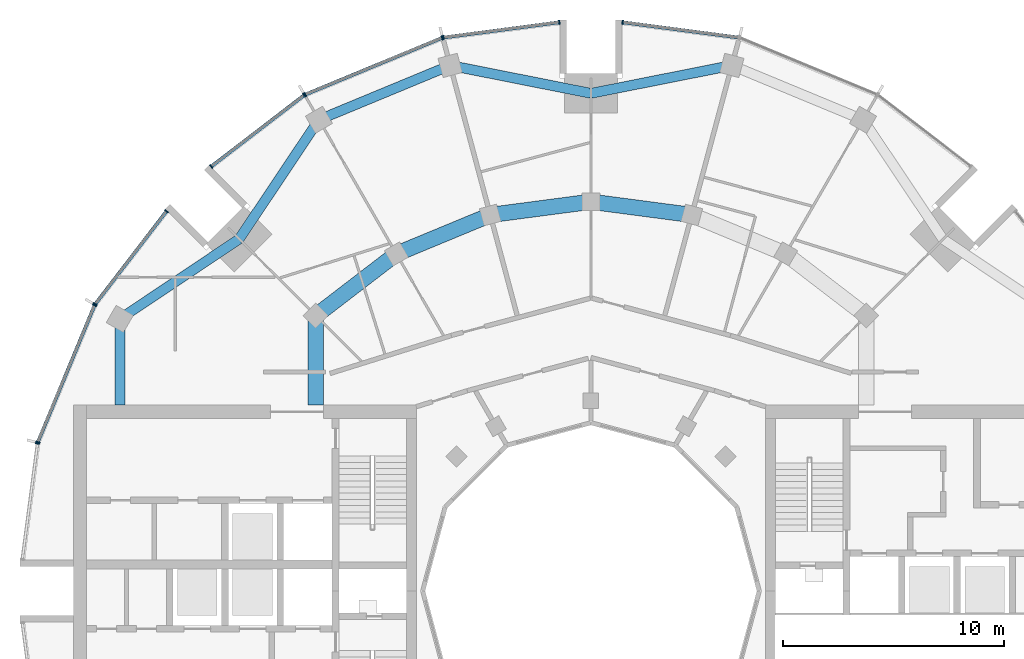
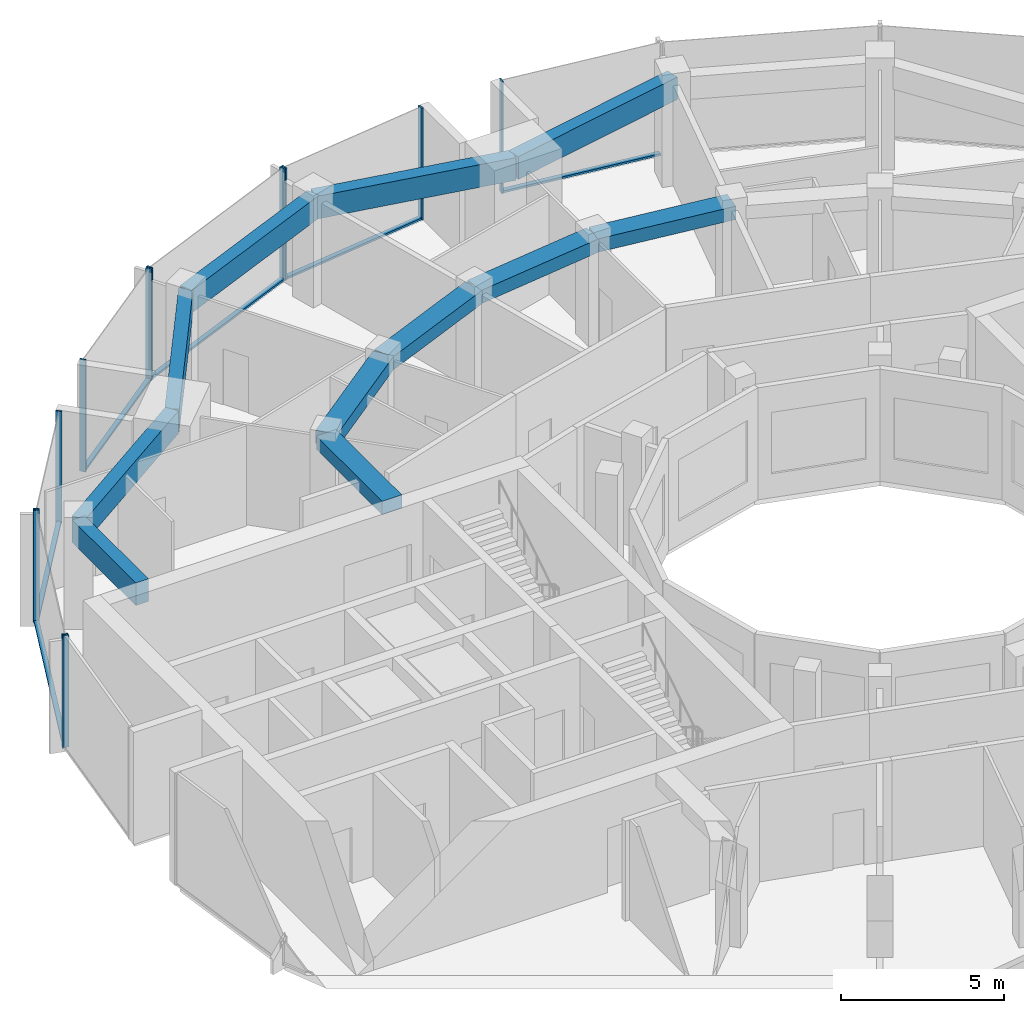
# One storey, part 5 of 15: 18 members, 11 beams, 7 elements without a shape of their own.
"""IFC4 building model written with IfcOpenShell, lengths in metres."""

from ifc_helpers import new_model, si_unit, direction, frame, origin, origin_2d, place, context, subcontext, project, spatial, rectangle, extrude, material, layer, layer_set, material_profile, profile_set, type_object, element, aggregate, save


model = new_model("IFC4")

# Units and contexts
model_context = context("Model", 3, precision=1e-05, world=origin(), true_north=direction((0.0, 1.0)))
body_context = subcontext(model_context, "Body", "Model", "MODEL_VIEW")
ifc_project = project(units=[si_unit("LENGTHUNIT", "METRE"), si_unit("AREAUNIT", "SQUARE_METRE"), si_unit("VOLUMEUNIT", "CUBIC_METRE"), si_unit("PLANEANGLEUNIT", "RADIAN"), si_unit("MASSUNIT", "GRAM", prefix="KILO")], contexts=[model_context])

# Site, building, storey
site_placement = place(None, origin())
site = spatial("IfcSite", under=ifc_project, at=site_placement, CompositionType="ELEMENT")
building_placement = place(site_placement, origin())
building = spatial("IfcBuilding", under=site, at=building_placement, Name="Torre Brocal", CompositionType="ELEMENT")
storey_placement = place(building_placement, frame((0.0, 0.0, 241.5)))
storey = spatial("IfcBuildingStorey", under=building, at=storey_placement, Name="L55", CompositionType="ELEMENT", Elevation=241.5)

# Curtain wall, member
ifc_material_1 = material(Name="Aluminium and glass", Category="aluminium")
ifc_layer_1 = layer(ifc_material_1, 0.199951171875)
ifc_layer_set_1 = layer_set([ifc_layer_1], Name="Aluminium and glass")
curtain_wall_type_1 = type_object("IfcCurtainWallType", Name="CW-1 CURTAIN WALL 4200 HIGH", PredefinedType="NOTDEFINED", material=ifc_layer_set_1)
curtain_wall_1_placement = place(storey_placement, origin())
curtain_wall_1 = element("IfcCurtainWall", 1, at=curtain_wall_1_placement, inside=storey, type_object=curtain_wall_type_1, Name="CW-1 RUN 6", PredefinedType="NOTDEFINED")
ifc_material_2 = material(Name="Aluminium, dark anodised", Category="aluminium")
ifc_material_profile_1 = material_profile(ifc_material_2, rectangle(XDim=0.199951171875, YDim=0.06005859375, at=origin_2d()), Name="CW-1 MULLION 60X200")
ifc_profile_set_1 = profile_set([ifc_material_profile_1], Name="Aluminium, dark anodised")
member_type_1 = type_object("IfcMemberType", Name="CW-1 MULLION 60X200", PredefinedType="MULLION", material=ifc_profile_set_1)
member_1_placement = place(storey_placement, frame((81.4296875, 100.7109375, 0.0), z_axis=(0.0, 0.0, 1.0), x_axis=(-0.13052619222, -0.991444861374, 0.0)))
member_1 = element("IfcMember", 2, at=member_1_placement, type_object=member_type_1, Name="CW1-5 mullion 2", PredefinedType="MULLION", context=body_context, shape_type="SweptSolid", body=[
    extrude(rectangle(XDim=0.199951171875, YDim=0.06005859375, at=origin_2d()), origin(), (0.0, 0.0, 1.0), 4.199951171875),
])

# Curtain wall, members
curtain_wall_2_placement = place(storey_placement, origin())
curtain_wall_2 = element("IfcCurtainWall", 3, at=curtain_wall_2_placement, inside=storey, type_object=curtain_wall_type_1, Name="CW-1 RUN 7", PredefinedType="NOTDEFINED")
member_2_placement = place(storey_placement, frame((78.5703125, 100.7109375, 0.0), z_axis=(0.0, 0.0, 1.0), x_axis=(0.13052619222, -0.991444861374, 0.0)))
member_2 = element("IfcMember", 4, at=member_2_placement, type_object=member_type_1, Name="CW1-5 mullion 1", PredefinedType="MULLION", context=body_context, shape_type="SweptSolid", body=[
    extrude(rectangle(XDim=0.199951171875, YDim=0.06005859375, at=origin_2d()), origin(), (0.0, 0.0, 1.0), 4.199951171875),
])
member_3_placement = place(storey_placement, frame((73.32666015625, 100.0205078125, 0.0), z_axis=(0.0, 0.0, 1.0), x_axis=(0.13052619222, -0.991444861374, 0.0)))
member_3 = element("IfcMember", 5, at=member_3_placement, type_object=member_type_1, Name="CW1-5 mullion 2", PredefinedType="MULLION", context=body_context, shape_type="SweptSolid", body=[
    extrude(rectangle(XDim=0.199951171875, YDim=0.06005859375, at=origin_2d()), origin(), (0.0, 0.0, 1.0), 4.199951171875),
])

curtain_wall_3_placement = place(storey_placement, origin())
curtain_wall_3 = element("IfcCurtainWall", 6, at=curtain_wall_3_placement, inside=storey, type_object=curtain_wall_type_1, Name="CW-1 RUN 8", PredefinedType="NOTDEFINED")
member_4_placement = place(storey_placement, frame((73.26904296875, 100.005126953125, 0.0), z_axis=(0.0, 0.0, 1.0), x_axis=(0.382683432333, -0.923879532525, 0.0)))
member_4 = element("IfcMember", 7, at=member_4_placement, type_object=member_type_1, Name="CW1-5 mullion 1", PredefinedType="MULLION", context=body_context, shape_type="SweptSolid", body=[
    extrude(rectangle(XDim=0.199951171875, YDim=0.06005859375, at=origin_2d()), origin(), (0.0, 0.0, 1.0), 4.199951171875),
])
member_5_placement = place(storey_placement, frame((67.078125, 97.440673828125, 0.0), z_axis=(0.0, 0.0, 1.0), x_axis=(0.382683432333, -0.923879532525, 0.0)))
member_5 = element("IfcMember", 8, at=member_5_placement, type_object=member_type_1, Name="CW1-5 mullion 2", PredefinedType="MULLION", context=body_context, shape_type="SweptSolid", body=[
    extrude(rectangle(XDim=0.199951171875, YDim=0.06005859375, at=origin_2d()), origin(), (0.0, 0.0, 1.0), 4.199951171875),
])

curtain_wall_4_placement = place(storey_placement, origin())
curtain_wall_4 = element("IfcCurtainWall", 9, at=curtain_wall_4_placement, inside=storey, type_object=curtain_wall_type_1, Name="CW-1 RUN 9", PredefinedType="NOTDEFINED")
member_6_placement = place(storey_placement, frame((67.026611328125, 97.4111328125, 0.0), z_axis=(0.0, 0.0, 1.0), x_axis=(0.60876142905, -0.793353340259, 0.0)))
member_6 = element("IfcMember", 10, at=member_6_placement, type_object=member_type_1, Name="CW1-5 mullion 1", PredefinedType="MULLION", context=body_context, shape_type="SweptSolid", body=[
    extrude(rectangle(XDim=0.199951171875, YDim=0.06005859375, at=origin_2d()), origin(), (0.0, 0.0, 1.0), 4.199951171875),
])
member_7_placement = place(storey_placement, frame((62.83056640625, 94.19140625, 0.0), z_axis=(0.0, 0.0, 1.0), x_axis=(0.60876142905, -0.793353340259, 0.0)))
member_7 = element("IfcMember", 11, at=member_7_placement, type_object=member_type_1, Name="CW1-5 mullion 2", PredefinedType="MULLION", context=body_context, shape_type="SweptSolid", body=[
    extrude(rectangle(XDim=0.199951171875, YDim=0.06005859375, at=origin_2d()), origin(), (0.0, 0.0, 1.0), 4.199951171875),
])

curtain_wall_5_placement = place(storey_placement, origin())
curtain_wall_5 = element("IfcCurtainWall", 12, at=curtain_wall_5_placement, inside=storey, type_object=curtain_wall_type_1, Name="CW-1 RUN 10", PredefinedType="NOTDEFINED")
member_8_placement = place(storey_placement, frame((60.80859375, 92.16943359375, 0.0), z_axis=(0.0, 0.0, 1.0), x_axis=(0.793353340259, -0.60876142905, 0.0)))
member_8 = element("IfcMember", 13, at=member_8_placement, type_object=member_type_1, Name="CW1-5 mullion 1", PredefinedType="MULLION", context=body_context, shape_type="SweptSolid", body=[
    extrude(rectangle(XDim=0.199951171875, YDim=0.06005859375, at=origin_2d()), origin(), (0.0, 0.0, 1.0), 4.199951171875),
])
member_9_placement = place(storey_placement, frame((57.5888671875, 87.973388671875, 0.0), z_axis=(0.0, 0.0, 1.0), x_axis=(0.793353340259, -0.60876142905, 0.0)))
member_9 = element("IfcMember", 14, at=member_9_placement, type_object=member_type_1, Name="CW1-5 mullion 2", PredefinedType="MULLION", context=body_context, shape_type="SweptSolid", body=[
    extrude(rectangle(XDim=0.199951171875, YDim=0.06005859375, at=origin_2d()), origin(), (0.0, 0.0, 1.0), 4.199951171875),
])

curtain_wall_6_placement = place(storey_placement, origin())
curtain_wall_6 = element("IfcCurtainWall", 15, at=curtain_wall_6_placement, inside=storey, type_object=curtain_wall_type_1, Name="CW-1 RUN 11", PredefinedType="NOTDEFINED")
member_10_placement = place(storey_placement, frame((57.559326171875, 87.921875, 0.0), z_axis=(0.0, 0.0, 1.0), x_axis=(0.923879532525, -0.382683432333, 0.0)))
member_10 = element("IfcMember", 16, at=member_10_placement, type_object=member_type_1, Name="CW1-5 mullion 1", PredefinedType="MULLION", context=body_context, shape_type="SweptSolid", body=[
    extrude(rectangle(XDim=0.199951171875, YDim=0.06005859375, at=origin_2d()), origin(), (0.0, 0.0, 1.0), 4.199951171875),
])
member_11_placement = place(storey_placement, frame((54.994873046875, 81.73095703125, 0.0), z_axis=(0.0, 0.0, 1.0), x_axis=(0.923879532525, -0.382683432333, 0.0)))
member_11 = element("IfcMember", 17, at=member_11_placement, type_object=member_type_1, Name="CW1-5 mullion 2", PredefinedType="MULLION", context=body_context, shape_type="SweptSolid", body=[
    extrude(rectangle(XDim=0.199951171875, YDim=0.06005859375, at=origin_2d()), origin(), (0.0, 0.0, 1.0), 4.199951171875),
])

# Member
ifc_material_3 = material(Name="Aluminium, dark anodised", Category="aluminium")
ifc_material_profile_2 = material_profile(ifc_material_3, rectangle(XDim=0.159912109375, YDim=0.080078125, at=origin_2d()), Name="CW-1 TRANSOM 160X80")
ifc_profile_set_2 = profile_set([ifc_material_profile_2], Name="Aluminium, dark anodised")
member_type_2 = type_object("IfcMemberType", Name="CW-1 TRANSOM 160X80", PredefinedType="USERDEFINED", material=ifc_profile_set_2)
member_12_placement = place(storey_placement, frame((86.643798828125, 100.0244140625, 0.0400390625), z_axis=(-0.991442690863, 0.130542677827, 0.0), x_axis=(-0.130542677827, -0.991442690863, 0.0)))
member_12 = element("IfcMember", 18, at=member_12_placement, type_object=member_type_2, Name="CW1-5 transom 1.1", ObjectType="TRANSOM", PredefinedType="USERDEFINED", context=body_context, shape_type="SweptSolid", body=[
    extrude(rectangle(XDim=0.159912109375, YDim=0.080078125, at=origin_2d()), origin(), (0.0, 0.0, 1.0), 5.22900390625),
])

aggregate(curtain_wall_1, [member_1, member_12])

member_13_placement = place(storey_placement, frame((78.54052734375, 100.70703125, 0.0400390625), z_axis=(-0.991442690863, -0.130542677827, 0.0), x_axis=(0.130542677827, -0.991442690863, 0.0)))
member_13 = element("IfcMember", 19, at=member_13_placement, type_object=member_type_2, Name="CW1-5 transom 1.1", ObjectType="TRANSOM", PredefinedType="USERDEFINED", context=body_context, shape_type="SweptSolid", body=[
    extrude(rectangle(XDim=0.159912109375, YDim=0.080078125, at=origin_2d()), origin(), (0.0, 0.0, 1.0), 5.22900390625),
])

aggregate(curtain_wall_2, [member_2, member_3, member_13])

member_14_placement = place(storey_placement, frame((73.241455078125, 99.99365234375, 0.0400390625), z_axis=(-0.923887344364, -0.38266457234, 0.0), x_axis=(0.38266457234, -0.923887344364, 0.0)))
member_14 = element("IfcMember", 20, at=member_14_placement, type_object=member_type_2, Name="CW1-5 transom 1.1", ObjectType="TRANSOM", PredefinedType="USERDEFINED", context=body_context, shape_type="SweptSolid", body=[
    extrude(rectangle(XDim=0.159912109375, YDim=0.080078125, at=origin_2d()), origin(), (0.0, 0.0, 1.0), 6.640869140625),
])

aggregate(curtain_wall_3, [member_4, member_5, member_14])

member_15_placement = place(storey_placement, frame((67.0029296875, 97.392822265625, 0.0400390625), z_axis=(-0.79336281513, -0.60874908096, 0.0), x_axis=(0.60874908096, -0.79336281513, 0.0)))
member_15 = element("IfcMember", 21, at=member_15_placement, type_object=member_type_2, Name="CW1-5 transom 1.1", ObjectType="TRANSOM", PredefinedType="USERDEFINED", context=body_context, shape_type="SweptSolid", body=[
    extrude(rectangle(XDim=0.159912109375, YDim=0.080078125, at=origin_2d()), origin(), (0.0, 0.0, 1.0), 5.22900390625),
])

aggregate(curtain_wall_4, [member_6, member_7, member_15])

member_16_placement = place(storey_placement, frame((60.790283203125, 92.1455078125, 0.0400390625), z_axis=(-0.60874908096, -0.79336281513, 0.0), x_axis=(0.79336281513, -0.60874908096, 0.0)))
member_16 = element("IfcMember", 22, at=member_16_placement, type_object=member_type_2, Name="CW1-5 transom 1.1", ObjectType="TRANSOM", PredefinedType="USERDEFINED", context=body_context, shape_type="SweptSolid", body=[
    extrude(rectangle(XDim=0.159912109375, YDim=0.080078125, at=origin_2d()), origin(), (0.0, 0.0, 1.0), 5.22900390625),
])

aggregate(curtain_wall_5, [member_8, member_9, member_16])

member_17_placement = place(storey_placement, frame((57.547607421875, 87.89404296875, 0.0400390625), z_axis=(-0.38266457234, -0.923887344364, 0.0), x_axis=(0.923887344364, -0.38266457234, 0.0)))
member_17 = element("IfcMember", 23, at=member_17_placement, type_object=member_type_2, Name="CW1-5 transom 1.1", ObjectType="TRANSOM", PredefinedType="USERDEFINED", context=body_context, shape_type="SweptSolid", body=[
    extrude(rectangle(XDim=0.159912109375, YDim=0.080078125, at=origin_2d()), origin(), (0.0, 0.0, 1.0), 6.640869140625),
])

aggregate(curtain_wall_6, [member_10, member_11, member_17])

# Curtain wall, member
ifc_material_4 = material(Name="Aluminium and glass", Category="aluminium")
ifc_layer_2 = layer(ifc_material_4, 0.199951171875)
ifc_layer_set_2 = layer_set([ifc_layer_2], Name="Aluminium and glass")
curtain_wall_type_2 = type_object("IfcCurtainWallType", Name="CW-1B CURTAIN WALL 4200 HIGH", PredefinedType="NOTDEFINED", material=ifc_layer_set_2)
curtain_wall_7_placement = place(storey_placement, origin())
curtain_wall_7 = element("IfcCurtainWall", 24, at=curtain_wall_7_placement, inside=storey, type_object=curtain_wall_type_2, Name="CW-1B RUN 12", PredefinedType="NOTDEFINED")
ifc_material_5 = material(Name="Aluminium, dark anodised", Category="aluminium")
ifc_material_profile_3 = material_profile(ifc_material_5, rectangle(XDim=0.199951171875, YDim=0.06005859375, at=origin_2d()), Name="CW-1B MULLION 60X200")
ifc_profile_set_3 = profile_set([ifc_material_profile_3], Name="Aluminium, dark anodised")
member_type_3 = type_object("IfcMemberType", Name="CW-1B MULLION 60X200", PredefinedType="MULLION", material=ifc_profile_set_3)
member_18_placement = place(storey_placement, frame((54.9794921875, 81.67333984375, 0.0), z_axis=(0.0, 0.0, 1.0), x_axis=(0.991444861374, -0.13052619222, 0.0)))
member_18 = element("IfcMember", 25, at=member_18_placement, type_object=member_type_3, Name="CW1B-5 mullion 1", PredefinedType="MULLION", context=body_context, shape_type="SweptSolid", body=[
    extrude(rectangle(XDim=0.199951171875, YDim=0.06005859375, at=origin_2d()), origin(), (0.0, 0.0, 1.0), 4.199951171875),
])
aggregate(curtain_wall_7, [member_18])

# Beams
ifc_material_6 = material(Name="Concrete C50", Category="concrete")
ifc_material_profile_4 = material_profile(ifc_material_6, rectangle(XDim=0.699951171875, YDim=0.5, at=origin_2d()), Name="RC 700X500")
ifc_profile_set_4 = profile_set([ifc_material_profile_4], Name="Concrete C50")
beam_type_1 = type_object("IfcBeamType", Name="RC BEAM 700X500 C50 TOP 3880", PredefinedType="BEAM", material=ifc_profile_set_4)
for number, where, z_axis, x_axis, name in (
    (26, (84.55517578125, 92.000244140625, 3.6298828125), (-0.991440544449, 0.130558978332, 0.0), (-0.130558978332, -0.991440544449, 0.0), "Beam BT-37"),
    (27, (80.0, 92.60009765625, 3.6298828125), (-0.991440544449, -0.130558978332, 0.0), (0.130558978332, -0.991440544449, 0.0), "Beam BT-37"),
):
    element("IfcBeam", number, at=place(storey_placement, frame(where, z_axis=z_axis, x_axis=x_axis)), inside=storey, type_object=beam_type_1, Name=name, PredefinedType="BEAM", context=body_context, shape_type="SweptSolid", body=[
        extrude(rectangle(XDim=0.699951171875, YDim=0.5, at=origin_2d()), origin(), (0.0, 0.0, 1.0), 4.594482421875),
    ])
beam_1_placement = place(storey_placement, frame((75.44482421875, 92.000244140625, 3.6298828125), z_axis=(-0.923878240166, -0.382686552348, 0.0), x_axis=(0.382686552348, -0.923878240166, 0.0)))
element("IfcBeam", 28, at=beam_1_placement, inside=storey, type_object=beam_type_1, Name="Beam BT-37", PredefinedType="BEAM", context=body_context, shape_type="SweptSolid", body=[
    extrude(rectangle(XDim=0.699951171875, YDim=0.5, at=origin_2d()), origin(), (0.0, 0.0, 1.0), 4.5947265625),
])
beam_2_placement = place(storey_placement, frame((71.199951171875, 90.241943359375, 3.6298828125), z_axis=(-0.793358265959, -0.6087550097, 0.0), x_axis=(0.6087550097, -0.793358265959, 0.0)))
element("IfcBeam", 29, at=beam_2_placement, inside=storey, type_object=beam_type_1, Name="Beam BT-37", PredefinedType="BEAM", context=body_context, shape_type="SweptSolid", body=[
    extrude(rectangle(XDim=0.699951171875, YDim=0.5, at=origin_2d()), origin(), (0.0, 0.0, 1.0), 4.594482421875),
])
beam_3_placement = place(storey_placement, frame((67.554931640625, 87.445068359375, 3.6298828125), z_axis=(0.0, -1.0, 0.0), x_axis=(1.0, 0.0, 0.0)))
element("IfcBeam", 30, at=beam_3_placement, inside=storey, type_object=beam_type_1, Name="Beam BT-37", PredefinedType="BEAM", context=body_context, shape_type="SweptSolid", body=[
    extrude(rectangle(XDim=0.699951171875, YDim=0.5, at=origin_2d()), origin(), (0.0, 0.0, 1.0), 4.045166015625),
])
ifc_material_7 = material(Name="Concrete C50", Category="concrete")
ifc_material_profile_5 = material_profile(ifc_material_7, rectangle(XDim=0.449951171875, YDim=0.85009765625, at=origin_2d()), Name="RC 450X850")
ifc_profile_set_5 = profile_set([ifc_material_profile_5], Name="Concrete C50")
beam_type_2 = type_object("IfcBeamType", Name="RC SPANDREL BEAM 450X850 C50 TOP 3880", PredefinedType="SPANDREL", material=ifc_profile_set_5)
for number, where, z_axis, x_axis, name in (
    (31, (86.366943359375, 98.76171875, 3.455078125), (-0.980924907484, -0.194387051723, 0.0), (0.194387051723, -0.980924907484, 0.0), "Beam BT-38"),
    (32, (80.0, 97.5, 3.455078125), (-0.980924907484, 0.194387051723, 0.0), (-0.194387051723, -0.980924907484, 0.0), "Beam BT-38"),
):
    element("IfcBeam", number, at=place(storey_placement, frame(where, z_axis=z_axis, x_axis=x_axis)), inside=storey, type_object=beam_type_2, Name=name, PredefinedType="SPANDREL", context=body_context, shape_type="SweptSolid", body=[
        extrude(rectangle(XDim=0.449951171875, YDim=0.85009765625, at=origin_2d()), origin(), (0.0, 0.0, 1.0), 6.49072265625),
    ])
beam_4_placement = place(storey_placement, frame((73.633056640625, 98.76171875, 3.455078125), z_axis=(-0.923882462513, -0.382676358639, 0.0), x_axis=(0.382676358639, -0.923882462513, 0.0)))
element("IfcBeam", 33, at=beam_4_placement, inside=storey, type_object=beam_type_2, Name="Beam BT-38", PredefinedType="SPANDREL", context=body_context, shape_type="SweptSolid", body=[
    extrude(rectangle(XDim=0.449951171875, YDim=0.85009765625, at=origin_2d()), origin(), (0.0, 0.0, 1.0), 6.421875),
])
for number, where, z_axis, x_axis, name in (
    (34, (67.699951171875, 96.30419921875, 3.455078125), (-0.556157602282, -0.831076844476, 0.0), (0.831076844476, -0.556157602282, 0.0), "Beam BT-38"),
    (35, (64.090087890625, 90.909912109375, 3.455078125), (-0.831076844476, -0.556157602282, 0.0), (0.556157602282, -0.831076844476, 0.0), "Beam BT-38"),
):
    element("IfcBeam", number, at=place(storey_placement, frame(where, z_axis=z_axis, x_axis=x_axis)), inside=storey, type_object=beam_type_2, Name=name, PredefinedType="SPANDREL", context=body_context, shape_type="SweptSolid", body=[
        extrude(rectangle(XDim=0.449951171875, YDim=0.85009765625, at=origin_2d()), origin(), (0.0, 0.0, 1.0), 6.49072265625),
    ])
beam_5_placement = place(storey_placement, frame((58.69580078125, 87.300048828125, 3.455078125), z_axis=(0.0, -1.0, 0.0), x_axis=(1.0, 0.0, 0.0)))
element("IfcBeam", 36, at=beam_5_placement, inside=storey, type_object=beam_type_2, Name="Beam BT-38", PredefinedType="SPANDREL", context=body_context, shape_type="SweptSolid", body=[
    extrude(rectangle(XDim=0.449951171875, YDim=0.85009765625, at=origin_2d()), origin(), (0.0, 0.0, 1.0), 3.900146484375),
])

save(model, "model.ifc")
